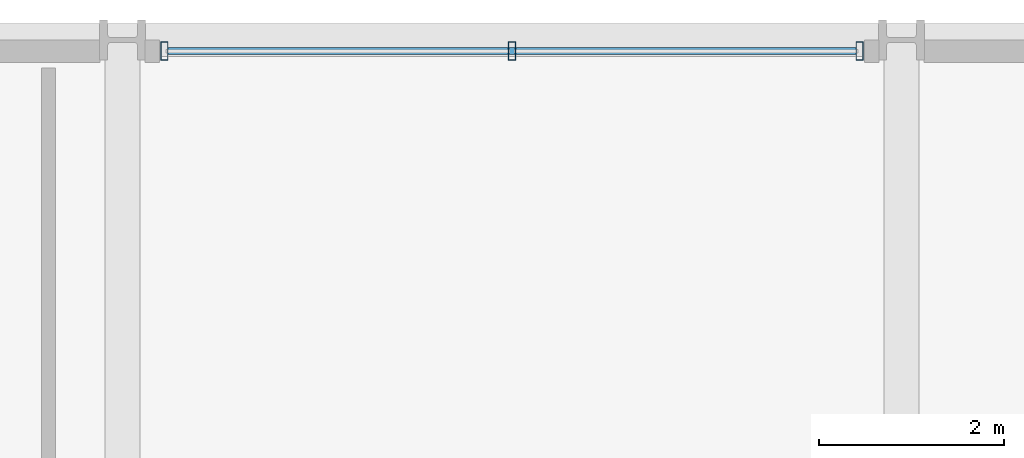
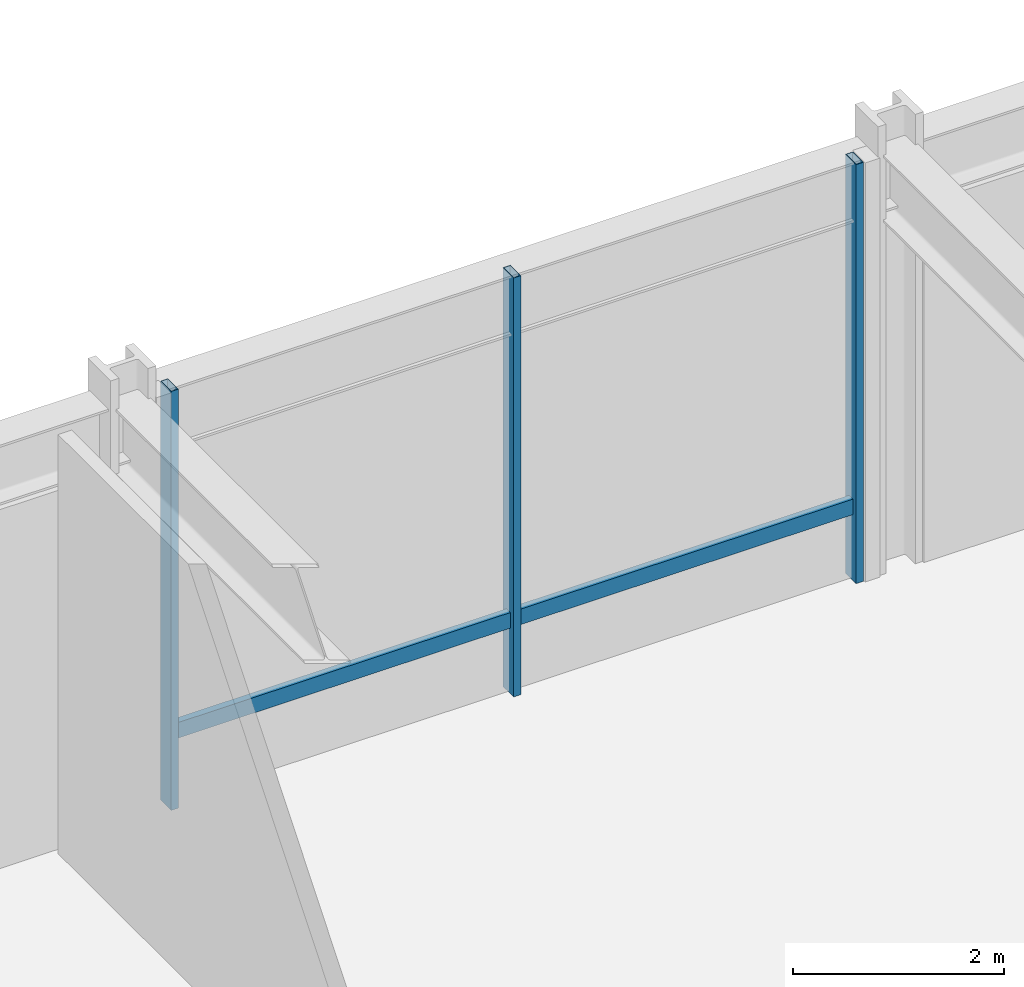
# One storey, part 5 of 21: 4 members, 1 element without a shape of its own.
"""IFC4 building model written with IfcOpenShell, lengths in metres."""

from ifc_helpers import new_model, si_unit, direction, frame, origin, origin_2d, place, context, subcontext, project, spatial, hollow_rectangle, extrude, material, layer, layer_set, material_profile, profile_set, type_object, element, aggregate, save


model = new_model("IFC4")

# Units and contexts
model_context = context("Model", 3, precision=1e-05, world=origin(), true_north=direction((0.0, 1.0)))
body_context = subcontext(model_context, "Body", "Model", "MODEL_VIEW")
ifc_project = project(units=[si_unit("LENGTHUNIT", "METRE"), si_unit("AREAUNIT", "SQUARE_METRE"), si_unit("VOLUMEUNIT", "CUBIC_METRE"), si_unit("PLANEANGLEUNIT", "RADIAN"), si_unit("MASSUNIT", "GRAM", prefix="KILO")], contexts=[model_context])

# Site, building, storey
site_placement = place(None, origin())
site = spatial("IfcSite", under=ifc_project, at=site_placement, CompositionType="ELEMENT")
building_placement = place(site_placement, origin())
building = spatial("IfcBuilding", under=site, at=building_placement, Name="Drelvath Grand Hotel", CompositionType="ELEMENT")
storey_placement = place(building_placement, frame((0.0, 0.0, 22.39990234375)))
storey = spatial("IfcBuildingStorey", under=building, at=storey_placement, Name="L04", CompositionType="ELEMENT", Elevation=22.39990234375)

# Curtain wall, members
ifc_material = material(Name="Dark Bronze Anodised Aluminium Frame", Category="aluminium")
ifc_layer = layer(ifc_material, 0.199951171875)
ifc_layer_set = layer_set([ifc_layer], Name="Dark Bronze Anodised Aluminium Frame")
curtain_wall_type = type_object("IfcCurtainWallType", Name="Stick Curtain Wall CW-01 Dark Bronze Podium", PredefinedType="NOTDEFINED", material=ifc_layer_set)
curtain_wall_placement = place(storey_placement, origin())
curtain_wall = element("IfcCurtainWall", 1, at=curtain_wall_placement, inside=storey, type_object=curtain_wall_type, Name="L04 CW-01 Curtain Wall CW01-L04-NC1", PredefinedType="NOTDEFINED")
ifc_material_profile_1 = material_profile(ifc_material, hollow_rectangle(XDim=0.074951171875, YDim=0.179931640625, WallThickness=0.0048828125, at=origin_2d()), Name="HSS180X75X5")
ifc_profile_set_1 = profile_set([ifc_material_profile_1], Name="Dark Bronze Anodised Aluminium Frame")
member_type_1 = type_object("IfcMemberType", Name="Curtain Wall Horizontal Transom CW-01 HSS180X75X5", PredefinedType="USERDEFINED", material=ifc_profile_set_1)
member_1_placement = place(storey_placement, frame((-7.909912109375, 53.8798828125, 0.85009765625), z_axis=(1.0, 0.0, 0.0), x_axis=(0.0, 1.0, 0.0)))
member_1 = element("IfcMember", 2, at=member_1_placement, type_object=member_type_1, Name="CW01-L04-NC1 Sill Transom", ObjectType="TRANSOM", PredefinedType="USERDEFINED", context=body_context, shape_type="SweptSolid", body=[
    extrude(hollow_rectangle(XDim=0.074951171875, YDim=0.179931640625, WallThickness=0.0048828125, at=origin_2d()), origin(), (0.0, 0.0, 1.0), 7.419921875),
])
ifc_material_profile_2 = material_profile(ifc_material, hollow_rectangle(XDim=0.080078125, YDim=0.199951171875, WallThickness=0.0048828125, at=origin_2d()), Name="HSS200X80X5")
ifc_profile_set_2 = profile_set([ifc_material_profile_2], Name="Dark Bronze Anodised Aluminium Frame")
member_type_2 = type_object("IfcMemberType", Name="Curtain Wall Vertical Mullion CW-01 HSS200X80X5", PredefinedType="MULLION", material=ifc_profile_set_2)
member_2_placement = place(storey_placement, frame((-7.949951171875, 53.8798828125, 0.0), z_axis=(0.0, 0.0, 1.0), x_axis=(1.0, 0.0, 0.0)))
member_2 = element("IfcMember", 3, at=member_2_placement, type_object=member_type_2, Name="CW01-L04-NC1 Mullion 1", PredefinedType="MULLION", context=body_context, shape_type="SweptSolid", body=[
    extrude(hollow_rectangle(XDim=0.080078125, YDim=0.199951171875, WallThickness=0.0048828125, at=origin_2d()), origin(), (0.0, 0.0, 1.0), 4.85009765625),
])
member_3_placement = place(storey_placement, frame((-4.199951171875, 53.8798828125, 0.0), z_axis=(0.0, 0.0, 1.0), x_axis=(1.0, 0.0, 0.0)))
member_3 = element("IfcMember", 4, at=member_3_placement, type_object=member_type_2, Name="CW01-L04-NC1 Mullion 2", PredefinedType="MULLION", context=body_context, shape_type="SweptSolid", body=[
    extrude(hollow_rectangle(XDim=0.080078125, YDim=0.199951171875, WallThickness=0.0048828125, at=origin_2d()), origin(), (0.0, 0.0, 1.0), 4.85009765625),
])
member_4_placement = place(storey_placement, frame((-0.449951171875, 53.8798828125, 0.0), z_axis=(0.0, 0.0, 1.0), x_axis=(1.0, 0.0, 0.0)))
member_4 = element("IfcMember", 5, at=member_4_placement, type_object=member_type_2, Name="CW01-L04-NC1 Mullion 3", PredefinedType="MULLION", context=body_context, shape_type="SweptSolid", body=[
    extrude(hollow_rectangle(XDim=0.080078125, YDim=0.199951171875, WallThickness=0.0048828125, at=origin_2d()), origin(), (0.0, 0.0, 1.0), 4.85009765625),
])
aggregate(curtain_wall, [member_2, member_3, member_4, member_1])

save(model, "model.ifc")
